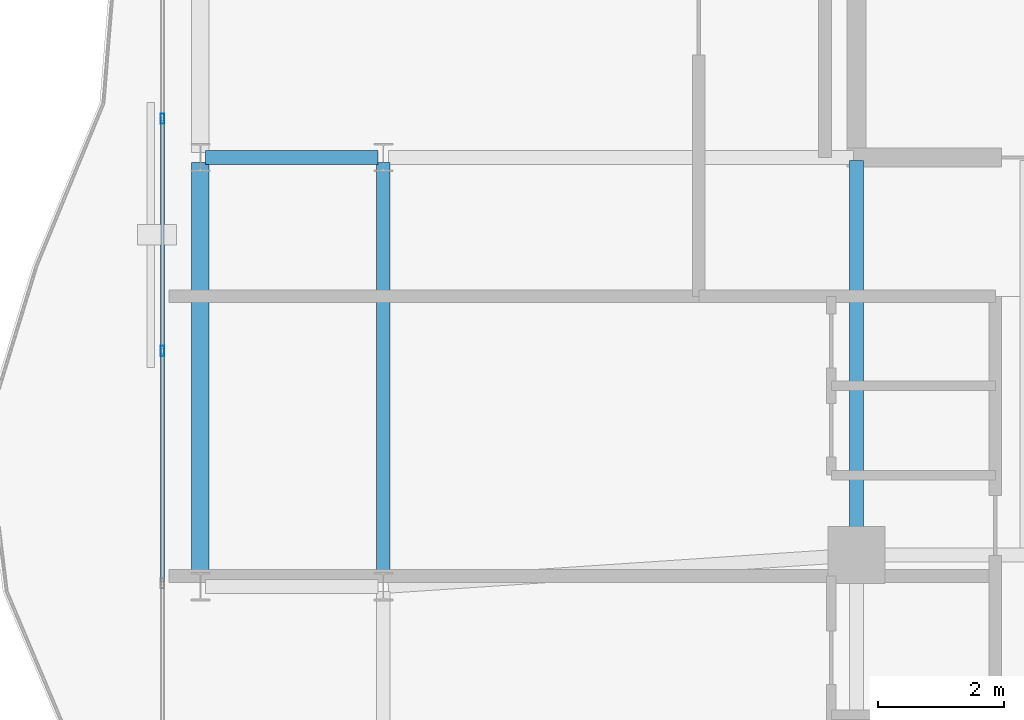
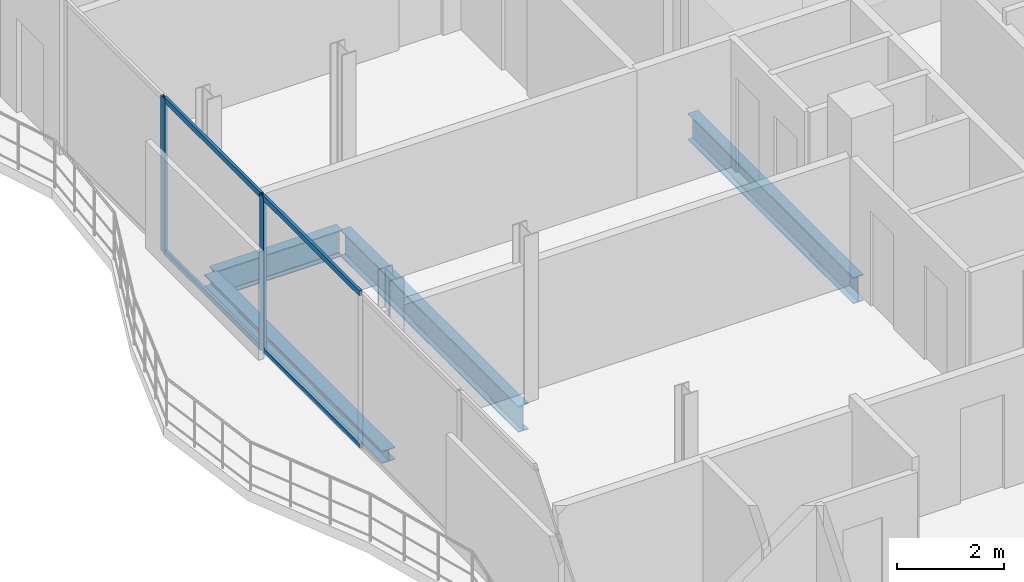
# One storey, part 10 of 24: 6 members, 4 beams, 1 element without a shape of its own.
"""IFC4 building model written with IfcOpenShell, lengths in metres."""

from ifc_helpers import new_model, si_unit, direction, frame, origin, origin_2d, place, context, subcontext, project, spatial, hollow_rectangle, i_section, extrude, material, layer, layer_set, material_profile, profile_set, type_object, element, aggregate, save


model = new_model("IFC4")

# Units and contexts
model_context = context("Model", 3, precision=1e-05, world=origin(), true_north=direction((0.0, 1.0)))
body_context = subcontext(model_context, "Body", "Model", "MODEL_VIEW")
ifc_project = project(units=[si_unit("LENGTHUNIT", "METRE"), si_unit("AREAUNIT", "SQUARE_METRE"), si_unit("VOLUMEUNIT", "CUBIC_METRE"), si_unit("PLANEANGLEUNIT", "RADIAN"), si_unit("MASSUNIT", "GRAM", prefix="KILO")], contexts=[model_context])

# Site, building, storey
site_placement = place(None, origin())
site = spatial("IfcSite", under=ifc_project, at=site_placement, CompositionType="ELEMENT")
building_placement = place(site_placement, origin())
building = spatial("IfcBuilding", under=site, at=building_placement, Name="Catumbela Crestline Tower", CompositionType="ELEMENT")
storey_placement = place(building_placement, frame((0.0, 0.0, 237.4)))
storey = spatial("IfcBuildingStorey", under=building, at=storey_placement, Name="L61", CompositionType="ELEMENT", Elevation=237.4)

# Beams
ifc_material_1 = material(Name="Structural steel S355J2", Category="steel")
ifc_material_profile_1 = material_profile(ifc_material_1, i_section(OverallWidth=0.22, OverallDepth=0.6, WebThickness=0.012, FlangeThickness=0.019, FilletRadius=0.024, at=origin_2d()), Name="IPE 600")
ifc_profile_set_1 = profile_set([ifc_material_profile_1], Name="Structural steel S355J2")
beam_type_1 = type_object("IfcBeamType", Name="BG-IPE600", PredefinedType="BEAM", material=ifc_profile_set_1)
beam_1_placement = place(storey_placement, frame((5.68, 30.8, -0.56), z_axis=(1.0, 0.0, 0.0), x_axis=(0.0, 1.0, 0.0)))
element("IfcBeam", 1, at=beam_1_placement, inside=storey, type_object=beam_type_1, Name="L61 Beam BM-L61-M06", PredefinedType="BEAM", context=body_context, shape_type="SweptSolid", body=[
    extrude(i_section(OverallWidth=0.22, OverallDepth=0.6, WebThickness=0.012, FlangeThickness=0.019, FilletRadius=0.024, at=origin_2d()), origin(), (0.0, 0.0, 1.0), 2.74),
])
beam_2_placement = place(storey_placement, frame((8.5, 24.08, -0.56), z_axis=(0.0, 1.0, 0.0), x_axis=(-1.0, 0.0, 0.0)))
element("IfcBeam", 2, at=beam_2_placement, inside=storey, type_object=beam_type_1, Name="L61 Beam BM-L61-SN14", PredefinedType="BEAM", context=body_context, shape_type="SweptSolid", body=[
    extrude(i_section(OverallWidth=0.22, OverallDepth=0.6, WebThickness=0.012, FlangeThickness=0.019, FilletRadius=0.024, at=origin_2d()), origin(), (0.0, 0.0, 1.0), 6.64),
])
beam_3_placement = place(storey_placement, frame((16.0, 24.58, -0.56), z_axis=(0.0, 1.0, 0.0), x_axis=(-1.0, 0.0, 0.0)))
element("IfcBeam", 3, at=beam_3_placement, inside=storey, type_object=beam_type_1, Name="L61 Beam BM-L61-SNS15", PredefinedType="BEAM", context=body_context, shape_type="SweptSolid", body=[
    extrude(i_section(OverallWidth=0.22, OverallDepth=0.6, WebThickness=0.012, FlangeThickness=0.019, FilletRadius=0.024, at=origin_2d()), origin(), (0.0, 0.0, 1.0), 6.17),
])

# Curtain wall, members
ifc_material_2 = material(Name="Aluminium alloy AW-6060-T66", Category="aluminium")
ifc_layer = layer(ifc_material_2, 0.18, Name="Aluminium alloy AW-6060-T66")
ifc_layer_set = layer_set([ifc_layer], Name="Aluminium alloy AW-6060-T66")
curtain_wall_type = type_object("IfcCurtainWallType", Name="CWU-Z4", PredefinedType="USERDEFINED", material=ifc_layer_set)
curtain_wall_placement = place(storey_placement, origin())
curtain_wall = element("IfcCurtainWall", 4, at=curtain_wall_placement, inside=storey, type_object=curtain_wall_type, Name="L61 Unitised Curtain Wall CW-L61-E9S2", ObjectType="UNITISED", PredefinedType="USERDEFINED")
ifc_material_profile_2 = material_profile(ifc_material_2, hollow_rectangle(XDim=0.06, YDim=0.16, WallThickness=0.004, at=origin_2d()), Name="ALU 160x60x4")
ifc_profile_set_2 = profile_set([ifc_material_profile_2], Name="Aluminium alloy AW-6060-T66")
member_type_1 = type_object("IfcMemberType", Name="MUL-160X60", PredefinedType="MULLION", material=ifc_profile_set_2)
member_1_placement = place(storey_placement, frame((5.0, 31.4167, 0.0), z_axis=(0.0, 0.0, 1.0), x_axis=(1.0, 0.0, 0.0)))
member_1 = element("IfcMember", 5, at=member_1_placement, type_object=member_type_1, Name="CWU-Z4 mullion 2", PredefinedType="MULLION", context=body_context, shape_type="SweptSolid", body=[
    extrude(hollow_rectangle(XDim=0.06, YDim=0.16, WallThickness=0.004, at=origin_2d()), origin(), (0.0, 0.0, 1.0), 3.53),
])
member_2_placement = place(storey_placement, frame((5.0, 27.7333, 0.0), z_axis=(0.0, 0.0, 1.0), x_axis=(1.0, 0.0, 0.0)))
member_2 = element("IfcMember", 6, at=member_2_placement, type_object=member_type_1, Name="CWU-Z4 mullion 3", PredefinedType="MULLION", context=body_context, shape_type="SweptSolid", body=[
    extrude(hollow_rectangle(XDim=0.06, YDim=0.16, WallThickness=0.004, at=origin_2d()), origin(), (0.0, 0.0, 1.0), 3.53),
])

# Beam
ifc_material_profile_3 = material_profile(ifc_material_1, i_section(OverallWidth=0.28, OverallDepth=0.28, WebThickness=0.0105, FlangeThickness=0.018, FilletRadius=0.024, at=origin_2d()), Name="HEB 280")
ifc_profile_set_3 = profile_set([ifc_material_profile_3], Name="Structural steel S355J2")
beam_type_2 = type_object("IfcBeamType", Name="BS-HEB280", PredefinedType="SPANDREL", material=ifc_profile_set_3)
beam_4_placement = place(storey_placement, frame((5.6, 24.08, -0.4), z_axis=(0.0, 1.0, 0.0), x_axis=(-1.0, 0.0, 0.0)))
element("IfcBeam", 7, at=beam_4_placement, inside=storey, type_object=beam_type_2, Name="L61 Spandrel SP-L61-SN12", PredefinedType="SPANDREL", context=body_context, shape_type="SweptSolid", body=[
    extrude(i_section(OverallWidth=0.28, OverallDepth=0.28, WebThickness=0.0105, FlangeThickness=0.018, FilletRadius=0.024, at=origin_2d()), origin(), (0.0, 0.0, 1.0), 6.64),
])

# Member
ifc_material_profile_4 = material_profile(ifc_material_2, hollow_rectangle(XDim=0.06, YDim=0.12, WallThickness=0.0035, at=origin_2d()), Name="ALU 120x60x3.5")
ifc_profile_set_4 = profile_set([ifc_material_profile_4], Name="Aluminium alloy AW-6060-T66")
member_type_2 = type_object("IfcMemberType", Name="TRN-120X60", PredefinedType="USERDEFINED", material=ifc_profile_set_4)
member_3_placement = place(storey_placement, frame((5.0, 31.3842, 0.03), z_axis=(0.0, -1.0, 0.0), x_axis=(1.0, 0.0, 0.0)))
member_3 = element("IfcMember", 8, at=member_3_placement, type_object=member_type_2, Name="CWU-Z4 transom 2.1", ObjectType="TRANSOM", PredefinedType="USERDEFINED", context=body_context, shape_type="SweptSolid", body=[
    extrude(hollow_rectangle(XDim=0.06, YDim=0.12, WallThickness=0.0035, at=origin_2d()), origin(), (0.0, 0.0, 1.0), 3.6184),
])

member_4_placement = place(storey_placement, frame((5.0, 31.3842, 3.5), z_axis=(0.0, -1.0, 0.0), x_axis=(1.0, 0.0, 0.0)))
member_4 = element("IfcMember", 9, at=member_4_placement, type_object=member_type_2, Name="CWU-Z4 transom 2.2", ObjectType="TRANSOM", PredefinedType="USERDEFINED", context=body_context, shape_type="SweptSolid", body=[
    extrude(hollow_rectangle(XDim=0.06, YDim=0.12, WallThickness=0.0035, at=origin_2d()), origin(), (0.0, 0.0, 1.0), 3.6184),
])

member_5_placement = place(storey_placement, frame((5.0, 27.7008, 0.03), z_axis=(0.0, -1.0, 0.0), x_axis=(1.0, 0.0, 0.0)))
member_5 = element("IfcMember", 10, at=member_5_placement, type_object=member_type_2, Name="CWU-Z4 transom 3.1", ObjectType="TRANSOM", PredefinedType="USERDEFINED", context=body_context, shape_type="SweptSolid", body=[
    extrude(hollow_rectangle(XDim=0.06, YDim=0.12, WallThickness=0.0035, at=origin_2d()), origin(), (0.0, 0.0, 1.0), 3.6183),
])

member_6_placement = place(storey_placement, frame((5.0, 27.7008, 3.5), z_axis=(0.0, -1.0, 0.0), x_axis=(1.0, 0.0, 0.0)))
member_6 = element("IfcMember", 11, at=member_6_placement, type_object=member_type_2, Name="CWU-Z4 transom 3.2", ObjectType="TRANSOM", PredefinedType="USERDEFINED", context=body_context, shape_type="SweptSolid", body=[
    extrude(hollow_rectangle(XDim=0.06, YDim=0.12, WallThickness=0.0035, at=origin_2d()), origin(), (0.0, 0.0, 1.0), 3.6183),
])

aggregate(curtain_wall, [member_1, member_2, member_3, member_4, member_5, member_6])

save(model, "model.ifc")
